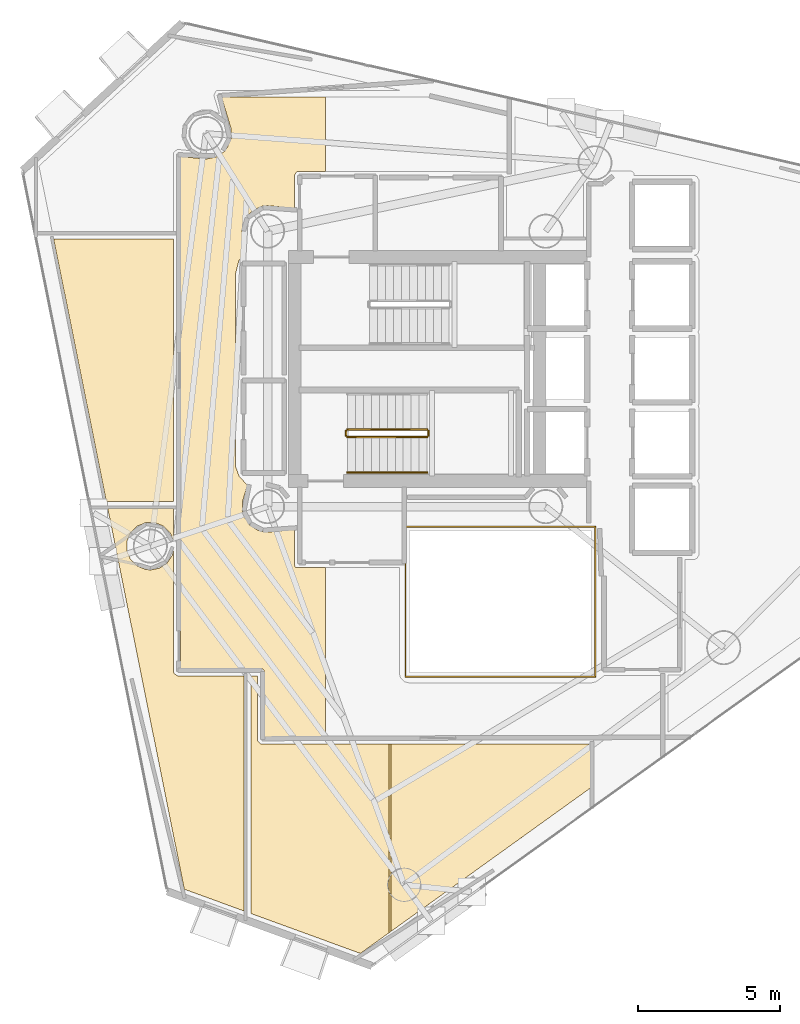
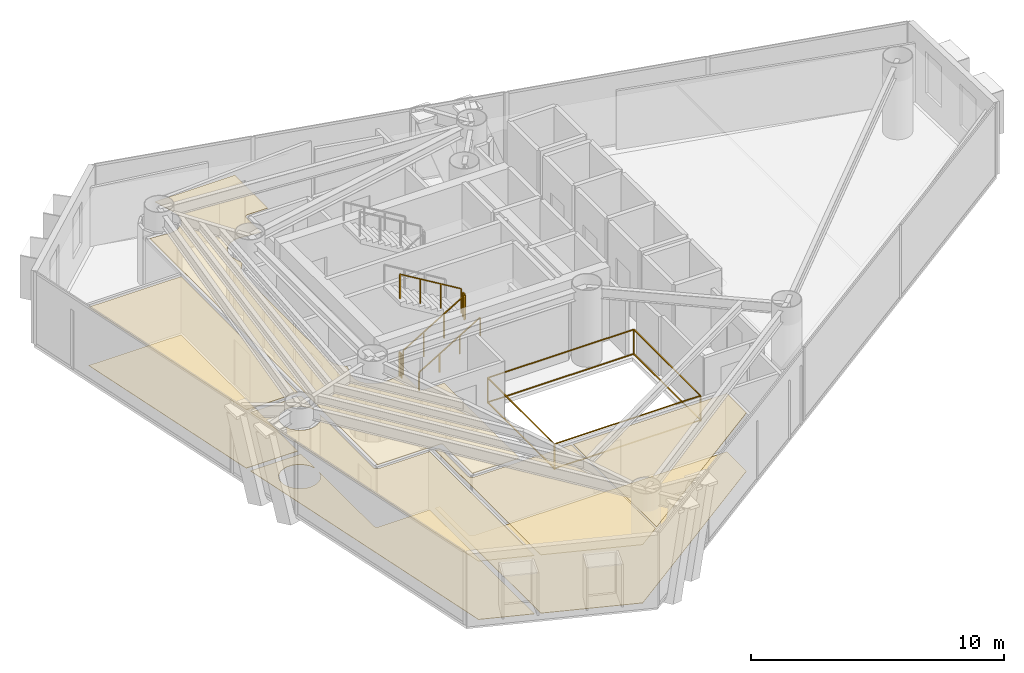
# One storey, part 20 of 22: 8 coverings, 6 railings.
"""IFC4 building model written with IfcOpenShell, lengths in metres."""

from ifc_helpers import new_model, si_unit, direction, frame, origin, origin_2d, place, context, subcontext, project, spatial, polyline, rectangle, outline, extrude, material, layer, layer_set, type_object, element, save


model = new_model("IFC4")

# Units and contexts
model_context = context("Model", 3, precision=1e-05, world=origin(), true_north=direction((0.0, 1.0)))
body_context = subcontext(model_context, "Body", "Model", "MODEL_VIEW")
ifc_project = project(units=[si_unit("LENGTHUNIT", "METRE"), si_unit("AREAUNIT", "SQUARE_METRE"), si_unit("VOLUMEUNIT", "CUBIC_METRE"), si_unit("PLANEANGLEUNIT", "RADIAN"), si_unit("MASSUNIT", "GRAM", prefix="KILO")], contexts=[model_context])

# Site, building, storey
site_placement = place(None, origin())
site = spatial("IfcSite", under=ifc_project, at=site_placement, CompositionType="ELEMENT")
building_placement = place(site_placement, origin())
building = spatial("IfcBuilding", under=site, at=building_placement, Name="Qianvela Tower", CompositionType="ELEMENT")
storey_placement = place(building_placement, frame((0.0, 0.0, 196.60009765625)))
storey = spatial("IfcBuildingStorey", under=building, at=storey_placement, Name="L50", CompositionType="ELEMENT", Elevation=196.60009765625)

# Coverings
ifc_material_1 = material(Name="Perforated Mineral Acoustic Ceiling Tile")
ifc_layer_1 = layer(ifc_material_1, 0.02490234375)
ifc_layer_set_1 = layer_set([ifc_layer_1], Name="Perforated Mineral Acoustic Ceiling Tile")
covering_type_1 = type_object("IfcCoveringType", Name="COV-CEIL-ACOUSTIC-25", PredefinedType="CEILING", material=ifc_layer_set_1)
covering_1_placement = place(storey_placement, frame((0.0, 0.0, 2.81494140625)))
element("IfcCovering", 1, at=covering_1_placement, inside=storey, type_object=covering_type_1, Name="L50 Acoustic Ceiling Bay 1 L50 Floor Corridor", PredefinedType="CEILING", context=body_context, shape_type="SweptSolid", body=[
    extrude(outline(polyline([(27.311767578125, 36.808837890625), (27.313720703125, 36.81640625), (27.31494140625, 36.82421875), (27.315185546875, 36.83203125), (27.315185546875, 37.152099609375), (27.31494140625, 37.159912109375), (27.313720703125, 37.16748046875), (27.311767578125, 37.17529296875), (26.979736328125, 38.27001953125), (30.634765625, 38.27001953125), (30.634765625, 35.658203125), (29.68798828125, 35.660888671875), (29.680419921875, 35.660400390625), (29.672607421875, 35.6591796875), (29.664794921875, 35.657470703125), (29.657470703125, 35.65478515625), (29.650390625, 35.6513671875), (29.6435546875, 35.6474609375), (29.63720703125, 35.642578125), (29.63134765625, 35.637451171875), (29.626220703125, 35.631591796875), (29.576171875, 35.57080078125), (29.571533203125, 35.564453125), (29.5673828125, 35.5576171875), (29.564208984375, 35.550537109375), (29.561279296875, 35.543212890625), (29.5595703125, 35.53564453125), (29.558349609375, 35.52783203125), (29.55810546875, 35.52001953125), (29.55810546875, 34.35595703125), (28.60791015625, 34.44970703125), (28.60009765625, 34.449951171875), (28.59228515625, 34.44970703125), (28.43212890625, 34.433837890625), (28.42431640625, 34.4326171875), (28.416748046875, 34.430908203125), (28.409423828125, 34.42822265625), (28.11376953125, 34.3056640625), (28.106689453125, 34.302490234375), (28.10009765625, 34.29833984375), (28.09375, 34.293701171875), (28.087890625, 34.288330078125), (27.861572265625, 34.06201171875), (27.8564453125, 34.056396484375), (27.851806640625, 34.050048828125), (27.84765625, 34.043212890625), (27.84423828125, 34.0361328125), (27.7216796875, 33.740478515625), (27.71923828125, 33.733154296875), (27.71728515625, 33.7255859375), (27.716064453125, 33.7177734375), (27.700439453125, 33.557861328125), (27.699951171875, 33.550048828125), (27.700439453125, 33.542236328125), (27.716064453125, 33.382080078125), (27.71728515625, 33.37451171875), (27.71923828125, 33.36669921875), (27.865478515625, 32.884521484375), (27.60107421875, 32.52685546875), (27.5966796875, 32.5205078125), (27.593017578125, 32.513427734375), (27.590087890625, 32.50634765625), (27.587890625, 32.4990234375), (27.472412109375, 32.0458984375), (27.47119140625, 32.039306640625), (27.47021484375, 32.03271484375), (27.469970703125, 32.026123046875), (27.469970703125, 25.291259765625), (27.47021484375, 25.2841796875), (27.47119140625, 25.27734375), (27.47265625, 25.2705078125), (27.474853515625, 25.263916015625), (27.59326171875, 24.938232421875), (27.59619140625, 24.93115234375), (27.599853515625, 24.92431640625), (27.604248046875, 24.91796875), (27.609130859375, 24.911865234375), (27.89111328125, 24.599853515625), (27.71923828125, 24.033203125), (27.71728515625, 24.025634765625), (27.716064453125, 24.017822265625), (27.7158203125, 24.010009765625), (27.7158203125, 23.68994140625), (27.716064453125, 23.68212890625), (27.71728515625, 23.67431640625), (27.71923828125, 23.666748046875), (27.765869140625, 23.512939453125), (27.7685546875, 23.505615234375), (27.77197265625, 23.49853515625), (27.77587890625, 23.49169921875), (27.95361328125, 23.2255859375), (27.958251953125, 23.219482421875), (27.963623046875, 23.213623046875), (27.969482421875, 23.208251953125), (27.9755859375, 23.20361328125), (28.24169921875, 23.02587890625), (28.24853515625, 23.02197265625), (28.255615234375, 23.0185546875), (28.262939453125, 23.015869140625), (28.416748046875, 22.96923828125), (28.42431640625, 22.96728515625), (28.43212890625, 22.966064453125), (28.59228515625, 22.950439453125), (28.60009765625, 22.949951171875), (28.60791015625, 22.950439453125), (29.55810546875, 23.0439453125), (29.55810546875, 21.780029296875), (29.558349609375, 21.772216796875), (29.5595703125, 21.764404296875), (29.561279296875, 21.7568359375), (29.564208984375, 21.74951171875), (29.5673828125, 21.7421875), (29.571533203125, 21.735595703125), (29.576171875, 21.729248046875), (29.581298828125, 21.723388671875), (29.587158203125, 21.71826171875), (29.593505859375, 21.71337890625), (29.600341796875, 21.70947265625), (29.607421875, 21.7060546875), (29.61474609375, 21.703369140625), (29.622314453125, 21.701416015625), (29.630126953125, 21.700439453125), (29.637939453125, 21.699951171875), (30.634765625, 21.699951171875), (30.634765625, 15.72998046875), (28.47998046875, 15.72998046875), (28.47998046875, 18.050048828125), (28.4794921875, 18.057861328125), (28.478515625, 18.065673828125), (28.4765625, 18.0732421875), (28.473876953125, 18.08056640625), (28.470703125, 18.087646484375), (28.466552734375, 18.094482421875), (28.4619140625, 18.100830078125), (28.45654296875, 18.106689453125), (28.45068359375, 18.11181640625), (28.4443359375, 18.116455078125), (28.437744140625, 18.12060546875), (28.4306640625, 18.123779296875), (28.423095703125, 18.126708984375), (28.41552734375, 18.12841796875), (28.40771484375, 18.129638671875), (28.39990234375, 18.1298828125), (25.530029296875, 18.1298828125), (25.530029296875, 36.180419921875), (26.423095703125, 36.09228515625), (26.430908203125, 36.092041015625), (26.438720703125, 36.09228515625), (26.446533203125, 36.093505859375), (26.760498046875, 36.156005859375), (26.76806640625, 36.157958984375), (26.775390625, 36.160400390625), (26.782470703125, 36.163818359375), (26.789306640625, 36.16796875), (27.055419921875, 36.345703125), (27.0615234375, 36.350341796875), (27.0673828125, 36.355712890625), (27.07275390625, 36.361328125), (27.174560546875, 36.485595703125), (27.17919921875, 36.491943359375), (27.183349609375, 36.498779296875), (27.186767578125, 36.505859375), (27.30908203125, 36.801513671875), (27.311767578125, 36.808837890625)])), origin(), (0.0, 0.0, 1.0), 0.02490234375),
])
covering_2_placement = place(storey_placement, frame((0.0, 0.0, 2.81494140625)))
element("IfcCovering", 2, at=covering_2_placement, inside=storey, type_object=covering_type_1, Name="L50 Acoustic Ceiling Digital Research Office L50-01", PredefinedType="CEILING", context=body_context, shape_type="SweptSolid", body=[
    extrude(outline(polyline([(25.291259765625, 22.706298828125), (25.264892578125, 22.7060546875), (25.177490234375, 22.913330078125), (25.17431640625, 22.92041015625), (25.17041015625, 22.927001953125), (25.165771484375, 22.93310546875), (25.160400390625, 22.938720703125), (24.95068359375, 23.1484375), (24.945068359375, 23.15380859375), (24.938720703125, 23.158447265625), (24.931884765625, 23.16259765625), (24.9248046875, 23.165771484375), (24.65087890625, 23.279296875), (24.6435546875, 23.281982421875), (24.635986328125, 23.283935546875), (24.628173828125, 23.284912109375), (24.620361328125, 23.285400390625), (24.32373046875, 23.285400390625), (24.31591796875, 23.284912109375), (24.30810546875, 23.283935546875), (24.300537109375, 23.281982421875), (24.293212890625, 23.279296875), (24.019287109375, 23.165771484375), (24.01220703125, 23.16259765625), (24.00537109375, 23.158447265625), (23.9990234375, 23.15380859375), (23.9931640625, 23.1484375), (23.783447265625, 22.938720703125), (23.7783203125, 22.93310546875), (23.773681640625, 22.9267578125), (23.76953125, 22.919921875), (23.76611328125, 22.912841796875), (23.652587890625, 22.638916015625), (23.64990234375, 22.631591796875), (23.648193359375, 22.623779296875), (23.64697265625, 22.6162109375), (23.646484375, 22.6083984375), (23.646484375, 22.311767578125), (23.64697265625, 22.303955078125), (23.648193359375, 22.296142578125), (23.64990234375, 22.28857421875), (23.652587890625, 22.281005859375), (23.76611328125, 22.007080078125), (23.76953125, 22.0), (23.773681640625, 21.993408203125), (23.7783203125, 21.987060546875), (23.783447265625, 21.981201171875), (23.9931640625, 21.771484375), (23.9990234375, 21.76611328125), (24.00537109375, 21.76171875), (24.01220703125, 21.757568359375), (24.019287109375, 21.754150390625), (24.293212890625, 21.640625), (24.300537109375, 21.637939453125), (24.30810546875, 21.635986328125), (24.31591796875, 21.635009765625), (24.464111328125, 21.620361328125), (24.471923828125, 21.6201171875), (24.479736328125, 21.620361328125), (24.487548828125, 21.62158203125), (24.7783203125, 21.679443359375), (24.7861328125, 21.681396484375), (24.79345703125, 21.683837890625), (24.800537109375, 21.687255859375), (24.807373046875, 21.69140625), (25.0537109375, 21.856201171875), (25.060302734375, 21.86083984375), (25.06591796875, 21.865966796875), (25.0712890625, 21.871826171875), (25.075927734375, 21.878173828125), (25.24072265625, 22.124755859375), (25.24462890625, 22.13134765625), (25.248046875, 22.138427734375), (25.25048828125, 22.145751953125), (25.25244140625, 22.1533203125), (25.29150390625, 22.344482421875), (25.296142578125, 18.019287109375), (25.29638671875, 18.011474609375), (25.297607421875, 18.003662109375), (25.299560546875, 17.99609375), (25.30224609375, 17.98876953125), (25.3056640625, 17.981689453125), (25.3095703125, 17.974853515625), (25.314208984375, 17.968505859375), (25.319580078125, 17.962890625), (25.3251953125, 17.95751953125), (25.33154296875, 17.952880859375), (25.405517578125, 17.903564453125), (25.412353515625, 17.8994140625), (25.41943359375, 17.89599609375), (25.4267578125, 17.893310546875), (25.434326171875, 17.8916015625), (25.442138671875, 17.890380859375), (25.449951171875, 17.889892578125), (27.778076171875, 17.889892578125), (27.778076171875, 9.604736328125), (25.66796875, 10.373779296875), (22.974853515625, 23.778076171875), (25.2900390625, 23.778076171875), (25.291259765625, 22.706298828125)])), origin(), (0.0, 0.0, 1.0), 0.02490234375),
])
covering_3_placement = place(storey_placement, frame((0.0, 0.0, 2.81494140625)))
element("IfcCovering", 3, at=covering_3_placement, inside=storey, type_object=covering_type_1, Name="L50 Acoustic Ceiling Quiet Reading Study L50-04", PredefinedType="CEILING", context=body_context, shape_type="SweptSolid", body=[
    extrude(outline(polyline([(25.2900390625, 33.278076171875), (25.2900390625, 24.02197265625), (22.92578125, 24.02197265625), (21.06640625, 33.278076171875), (25.2900390625, 33.278076171875)])), origin(), (0.0, 0.0, 1.0), 0.02490234375),
])
covering_4_placement = place(storey_placement, frame((0.0, 0.0, 2.81494140625)))
element("IfcCovering", 4, at=covering_4_placement, inside=storey, type_object=covering_type_1, Name="L50 Acoustic Ceiling Bay 1 Panoramic Study Lounge L50-05", PredefinedType="CEILING", context=body_context, shape_type="SweptSolid", body=[
    extrude(outline(polyline([(28.239990234375, 17.889892578125), (28.239990234375, 15.64990234375), (28.240478515625, 15.64208984375), (28.241455078125, 15.634521484375), (28.243408203125, 15.626708984375), (28.24609375, 15.619384765625), (28.24951171875, 15.6123046875), (28.25341796875, 15.605712890625), (28.25830078125, 15.59912109375), (28.322509765625, 15.520751953125), (28.327880859375, 15.514892578125), (28.33349609375, 15.509765625), (28.33984375, 15.5048828125), (28.3466796875, 15.5009765625), (28.353759765625, 15.49755859375), (28.361083984375, 15.4951171875), (28.368896484375, 15.4931640625), (28.37646484375, 15.491943359375), (28.384521484375, 15.491455078125), (32.87255859375, 15.490966796875), (32.87255859375, 8.83447265625), (31.86962890625, 8.11328125), (28.02197265625, 9.515625), (28.02197265625, 17.889892578125), (28.239990234375, 17.889892578125)])), origin(), (0.0, 0.0, 1.0), 0.02490234375),
])
covering_5_placement = place(storey_placement, frame((0.0, 0.0, 2.81494140625)))
element("IfcCovering", 5, at=covering_5_placement, inside=storey, type_object=covering_type_1, Name="L50 Acoustic Ceiling Bay 2 Panoramic Study Lounge L50-05", PredefinedType="CEILING", context=body_context, shape_type="SweptSolid", body=[
    extrude(outline(polyline([(39.97802734375, 15.489990234375), (39.97802734375, 13.942626953125), (32.952392578125, 8.891845703125), (32.952392578125, 15.490966796875), (39.97802734375, 15.489990234375)])), origin(), (0.0, 0.0, 1.0), 0.02490234375),
])
ifc_material_2 = material(Name="Engineered Acoustic Oak Timber Flooring", Category="wood")
ifc_layer_2 = layer(ifc_material_2, 0.02001953125)
ifc_layer_set_2 = layer_set([ifc_layer_2], Name="Engineered Acoustic Oak Timber Flooring")
covering_type_2 = type_object("IfcCoveringType", Name="COV-FLOOR-OAK-20", PredefinedType="FLOORING", material=ifc_layer_set_2)
covering_6_placement = place(storey_placement, origin())
element("IfcCovering", 6, at=covering_6_placement, inside=storey, type_object=covering_type_2, Name="L50 Finish Flooring Digital Research Office L50-01", PredefinedType="FLOORING", context=body_context, shape_type="SweptSolid", body=[
    extrude(outline(polyline([(25.291259765625, 22.706298828125), (25.264892578125, 22.7060546875), (25.177490234375, 22.913330078125), (25.17431640625, 22.92041015625), (25.17041015625, 22.927001953125), (25.165771484375, 22.93310546875), (25.160400390625, 22.938720703125), (24.95068359375, 23.1484375), (24.945068359375, 23.15380859375), (24.938720703125, 23.158447265625), (24.931884765625, 23.16259765625), (24.9248046875, 23.165771484375), (24.65087890625, 23.279296875), (24.6435546875, 23.281982421875), (24.635986328125, 23.283935546875), (24.628173828125, 23.284912109375), (24.620361328125, 23.285400390625), (24.32373046875, 23.285400390625), (24.31591796875, 23.284912109375), (24.30810546875, 23.283935546875), (24.300537109375, 23.281982421875), (24.293212890625, 23.279296875), (24.019287109375, 23.165771484375), (24.01220703125, 23.16259765625), (24.00537109375, 23.158447265625), (23.9990234375, 23.15380859375), (23.9931640625, 23.1484375), (23.783447265625, 22.938720703125), (23.7783203125, 22.93310546875), (23.773681640625, 22.9267578125), (23.76953125, 22.919921875), (23.76611328125, 22.912841796875), (23.652587890625, 22.638916015625), (23.64990234375, 22.631591796875), (23.648193359375, 22.623779296875), (23.64697265625, 22.6162109375), (23.646484375, 22.6083984375), (23.646484375, 22.311767578125), (23.64697265625, 22.303955078125), (23.648193359375, 22.296142578125), (23.64990234375, 22.28857421875), (23.652587890625, 22.281005859375), (23.76611328125, 22.007080078125), (23.76953125, 22.0), (23.773681640625, 21.993408203125), (23.7783203125, 21.987060546875), (23.783447265625, 21.981201171875), (23.9931640625, 21.771484375), (23.9990234375, 21.76611328125), (24.00537109375, 21.76171875), (24.01220703125, 21.757568359375), (24.019287109375, 21.754150390625), (24.293212890625, 21.640625), (24.300537109375, 21.637939453125), (24.30810546875, 21.635986328125), (24.31591796875, 21.635009765625), (24.464111328125, 21.620361328125), (24.471923828125, 21.6201171875), (24.479736328125, 21.620361328125), (24.487548828125, 21.62158203125), (24.7783203125, 21.679443359375), (24.7861328125, 21.681396484375), (24.79345703125, 21.683837890625), (24.800537109375, 21.687255859375), (24.807373046875, 21.69140625), (25.0537109375, 21.856201171875), (25.060302734375, 21.86083984375), (25.06591796875, 21.865966796875), (25.0712890625, 21.871826171875), (25.075927734375, 21.878173828125), (25.24072265625, 22.124755859375), (25.24462890625, 22.13134765625), (25.248046875, 22.138427734375), (25.25048828125, 22.145751953125), (25.25244140625, 22.1533203125), (25.29150390625, 22.344482421875), (25.296142578125, 18.019287109375), (25.29638671875, 18.011474609375), (25.297607421875, 18.003662109375), (25.299560546875, 17.99609375), (25.30224609375, 17.98876953125), (25.3056640625, 17.981689453125), (25.3095703125, 17.974853515625), (25.314208984375, 17.968505859375), (25.319580078125, 17.962890625), (25.3251953125, 17.95751953125), (25.33154296875, 17.952880859375), (25.405517578125, 17.903564453125), (25.412353515625, 17.8994140625), (25.41943359375, 17.89599609375), (25.4267578125, 17.893310546875), (25.434326171875, 17.8916015625), (25.442138671875, 17.890380859375), (25.449951171875, 17.889892578125), (27.778076171875, 17.889892578125), (27.778076171875, 9.604736328125), (25.66796875, 10.373779296875), (22.974853515625, 23.778076171875), (25.2900390625, 23.778076171875), (25.291259765625, 22.706298828125)])), origin(), (0.0, 0.0, 1.0), 0.02001953125),
])
covering_7_placement = place(storey_placement, origin())
element("IfcCovering", 7, at=covering_7_placement, inside=storey, type_object=covering_type_2, Name="L50 Finish Flooring Quiet Reading Study L50-04", PredefinedType="FLOORING", context=body_context, shape_type="SweptSolid", body=[
    extrude(outline(polyline([(25.2900390625, 33.278076171875), (25.2900390625, 24.02197265625), (22.92578125, 24.02197265625), (21.06640625, 33.278076171875), (25.2900390625, 33.278076171875)])), origin(), (0.0, 0.0, 1.0), 0.02001953125),
])
covering_8_placement = place(storey_placement, origin())
element("IfcCovering", 8, at=covering_8_placement, inside=storey, type_object=covering_type_2, Name="L50 Finish Flooring Panoramic Study Lounge L50-05", PredefinedType="FLOORING", context=body_context, shape_type="SweptSolid", body=[
    extrude(outline(polyline([(28.02197265625, 17.889892578125), (28.239990234375, 17.889892578125), (28.239990234375, 15.64990234375), (28.240478515625, 15.64208984375), (28.241455078125, 15.634521484375), (28.243408203125, 15.626708984375), (28.24609375, 15.619384765625), (28.24951171875, 15.6123046875), (28.25341796875, 15.605712890625), (28.25830078125, 15.59912109375), (28.322509765625, 15.520751953125), (28.327880859375, 15.514892578125), (28.33349609375, 15.509765625), (28.33984375, 15.5048828125), (28.3466796875, 15.5009765625), (28.353759765625, 15.49755859375), (28.361083984375, 15.4951171875), (28.368896484375, 15.4931640625), (28.37646484375, 15.491943359375), (28.384521484375, 15.491455078125), (39.97802734375, 15.489990234375), (39.97802734375, 13.942626953125), (31.86962890625, 8.11328125), (28.02197265625, 9.515625), (28.02197265625, 17.889892578125)])), origin(), (0.0, 0.0, 1.0), 0.02001953125),
])

# Railings
ifc_material_3 = material(Name="Laminated Safety Glass and Stainless Steel 316", Category="steel")
railing_type_1 = type_object("IfcRailingType", Name="RL-ATRIUM-GUARD-1250", PredefinedType="GUARDRAIL", material=ifc_material_3)
railing_1_placement = place(storey_placement, frame((33.4599609375, 17.860107421875, 0.0)))
element("IfcRailing", 9, at=railing_1_placement, inside=storey, type_object=railing_type_1, Name="L50 Atrium Edge Guardrail 1", PredefinedType="GUARDRAIL", context=body_context, shape_type="SweptSolid", body=[
    extrude(rectangle(XDim=0.050048828125, YDim=0.0400390625, at=origin_2d()), frame((0.0, 0.0, 1.22998046875), z_axis=(0.0, 1.0, 0.0), x_axis=(-1.0, 0.0, 0.0)), (0.0, 0.0, 1.0), 5.27978515625),
    extrude(rectangle(XDim=0.050048828125, YDim=0.0400390625, at=origin_2d()), frame((0.0, 0.0, 0.050048828125), z_axis=(0.0, 1.0, 0.0), x_axis=(-1.0, 0.0, 0.0)), (0.0, 0.0, 1.0), 5.27978515625),
    extrude(rectangle(XDim=0.050048828125, YDim=0.0400390625, at=origin_2d()), frame((0.0, 5.27978515625, 1.22998046875), z_axis=(1.0, 0.0, 0.0), x_axis=(0.0, 1.0, 0.0)), (0.0, 0.0, 1.0), 6.679931640625),
    extrude(rectangle(XDim=0.050048828125, YDim=0.0400390625, at=origin_2d()), frame((0.0, 5.27978515625, 0.050048828125), z_axis=(1.0, 0.0, 0.0), x_axis=(0.0, 1.0, 0.0)), (0.0, 0.0, 1.0), 6.679931640625),
    extrude(rectangle(XDim=0.050048828125, YDim=0.0400390625, at=origin_2d()), frame((6.679931640625, 5.27978515625, 1.22998046875), z_axis=(0.0, -1.0, 0.0), x_axis=(1.0, 0.0, 0.0)), (0.0, 0.0, 1.0), 5.27978515625),
    extrude(rectangle(XDim=0.050048828125, YDim=0.0400390625, at=origin_2d()), frame((6.679931640625, 5.27978515625, 0.050048828125), z_axis=(0.0, -1.0, 0.0), x_axis=(1.0, 0.0, 0.0)), (0.0, 0.0, 1.0), 5.27978515625),
    extrude(rectangle(XDim=0.050048828125, YDim=0.0400390625, at=origin_2d()), frame((6.679931640625, 0.0, 1.22998046875), z_axis=(-1.0, 0.0, 0.0), x_axis=(0.0, -1.0, 0.0)), (0.0, 0.0, 1.0), 6.679931640625),
    extrude(rectangle(XDim=0.050048828125, YDim=0.0400390625, at=origin_2d()), frame((6.679931640625, 0.0, 0.050048828125), z_axis=(-1.0, 0.0, 0.0), x_axis=(0.0, -1.0, 0.0)), (0.0, 0.0, 1.0), 6.679931640625),
    extrude(rectangle(XDim=0.050048828125, YDim=0.050048828125, at=origin_2d()), origin(), (0.0, 0.0, 1.0), 1.2099609375),
    extrude(rectangle(XDim=0.050048828125, YDim=0.050048828125, at=origin_2d()), frame((0.0, 5.27978515625, 0.0)), (0.0, 0.0, 1.0), 1.2099609375),
    extrude(rectangle(XDim=0.050048828125, YDim=0.050048828125, at=origin_2d()), frame((6.679931640625, 5.27978515625, 0.0)), (0.0, 0.0, 1.0), 1.2099609375),
    extrude(rectangle(XDim=0.050048828125, YDim=0.050048828125, at=origin_2d()), frame((6.679931640625, 0.0, 0.0)), (0.0, 0.0, 1.0), 1.2099609375),
])
ifc_material_4 = material(Name="Painted Tubular Steel Q355B", Category="steel")
railing_type_2 = type_object("IfcRailingType", Name="RL-STAIR-GUARD-1200", PredefinedType="GUARDRAIL", material=ifc_material_4)
railing_2_placement = place(storey_placement, frame((31.419921875, 26.300048828125, 0.16796875)))
element("IfcRailing", 10, at=railing_2_placement, inside=storey, type_object=railing_type_2, Name="L50 ST-2 stair guard 1", PredefinedType="GUARDRAIL", context=body_context, shape_type="SweptSolid", body=[
    extrude(rectangle(XDim=0.050048828125, YDim=0.0400390625, at=origin_2d()), frame((0.0, 0.0, 1.179931640625), z_axis=(0.857242210791, 0.0, 0.514913383045), x_axis=(0.0, 1.0, 0.0)), (0.0, 0.0, 1.0), 3.266357421875),
    extrude(rectangle(XDim=0.050048828125, YDim=0.050048828125, at=origin_2d()), origin(), (0.0, 0.0, 1.0), 1.159912109375),
    extrude(rectangle(XDim=0.050048828125, YDim=0.050048828125, at=origin_2d()), frame((0.933349609375, 0.0, 0.560546875)), (0.0, 0.0, 1.0), 1.159912109375),
    extrude(rectangle(XDim=0.050048828125, YDim=0.050048828125, at=origin_2d()), frame((1.86669921875, 0.0, 1.121337890625)), (0.0, 0.0, 1.0), 1.159912109375),
    extrude(rectangle(XDim=0.050048828125, YDim=0.050048828125, at=origin_2d()), frame((2.800048828125, 0.0, 1.681884765625)), (0.0, 0.0, 1.0), 1.159912109375),
])
railing_3_placement = place(storey_placement, frame((34.27001953125, 26.35009765625, 1.849853515625)))
element("IfcRailing", 11, at=railing_3_placement, inside=storey, type_object=railing_type_2, Name="L50 ST-2 stair guard 2", PredefinedType="GUARDRAIL", context=body_context, shape_type="SweptSolid", body=[
    extrude(rectangle(XDim=0.050048828125, YDim=0.0400390625, at=origin_2d()), frame((0.0, 0.0, 1.179931640625), z_axis=(0.0, 1.0, 0.0), x_axis=(-1.0, 0.0, 0.0)), (0.0, 0.0, 1.0), 0.159912109375),
    extrude(rectangle(XDim=0.050048828125, YDim=0.050048828125, at=origin_2d()), origin(), (0.0, 0.0, 1.0), 1.159912109375),
    extrude(rectangle(XDim=0.050048828125, YDim=0.050048828125, at=origin_2d()), frame((0.0, 0.159912109375, 0.0)), (0.0, 0.0, 1.0), 1.159912109375),
])
railing_4_placement = place(storey_placement, frame((34.219970703125, 26.56005859375, 2.01806640625)))
element("IfcRailing", 12, at=railing_4_placement, inside=storey, type_object=railing_type_2, Name="L50 ST-2 stair guard 3", PredefinedType="GUARDRAIL", context=body_context, shape_type="SweptSolid", body=[
    extrude(rectangle(XDim=0.050048828125, YDim=0.0400390625, at=origin_2d()), frame((0.0, 0.0, 1.179931640625), z_axis=(-0.857242210791, 0.0, 0.514913383045), x_axis=(0.0, -1.0, 0.0)), (0.0, 0.0, 1.0), 3.266357421875),
    extrude(rectangle(XDim=0.050048828125, YDim=0.050048828125, at=origin_2d()), origin(), (0.0, 0.0, 1.0), 1.159912109375),
    extrude(rectangle(XDim=0.050048828125, YDim=0.050048828125, at=origin_2d()), frame((-0.933349609375, 0.0, 0.560546875)), (0.0, 0.0, 1.0), 1.159912109375),
    extrude(rectangle(XDim=0.050048828125, YDim=0.050048828125, at=origin_2d()), frame((-1.86669921875, 0.0, 1.121337890625)), (0.0, 0.0, 1.0), 1.159912109375),
    extrude(rectangle(XDim=0.050048828125, YDim=0.050048828125, at=origin_2d()), frame((-2.800048828125, 0.0, 1.681884765625)), (0.0, 0.0, 1.0), 1.159912109375),
])
railing_5_placement = place(storey_placement, frame((31.3701171875, 26.35009765625, 0.0)))
element("IfcRailing", 13, at=railing_5_placement, inside=storey, type_object=railing_type_2, Name="L50 ST-2 stair guard 4", PredefinedType="GUARDRAIL", context=body_context, shape_type="SweptSolid", body=[
    extrude(rectangle(XDim=0.050048828125, YDim=0.0400390625, at=origin_2d()), frame((0.0, 0.0, 1.179931640625), z_axis=(0.0, 1.0, 0.0), x_axis=(-1.0, 0.0, 0.0)), (0.0, 0.0, 1.0), 0.159912109375),
    extrude(rectangle(XDim=0.050048828125, YDim=0.050048828125, at=origin_2d()), origin(), (0.0, 0.0, 1.0), 1.159912109375),
    extrude(rectangle(XDim=0.050048828125, YDim=0.050048828125, at=origin_2d()), frame((0.0, 0.159912109375, 0.0)), (0.0, 0.0, 1.0), 1.159912109375),
])
ifc_material_5 = material(Name="Brushed Stainless Steel 304", Category="steel")
railing_type_3 = type_object("IfcRailingType", Name="RL-STAIR-HANDRAIL-900", PredefinedType="HANDRAIL", material=ifc_material_5)
railing_6_placement = place(storey_placement, frame((31.419921875, 25.050048828125, 0.16796875)))
element("IfcRailing", 14, at=railing_6_placement, inside=storey, type_object=railing_type_3, Name="L50 ST-2 stair handrail 1", PredefinedType="HANDRAIL", context=body_context, shape_type="SweptSolid", body=[
    extrude(rectangle(XDim=0.050048828125, YDim=0.0400390625, at=origin_2d()), frame((0.0, 0.0, 0.8798828125), z_axis=(0.857242210791, 0.0, 0.514913383045), x_axis=(0.0, 1.0, 0.0)), (0.0, 0.0, 1.0), 3.266357421875),
    extrude(rectangle(XDim=0.050048828125, YDim=0.050048828125, at=origin_2d()), origin(), (0.0, 0.0, 1.0), 0.85986328125),
    extrude(rectangle(XDim=0.050048828125, YDim=0.050048828125, at=origin_2d()), frame((0.933349609375, 0.0, 0.560546875)), (0.0, 0.0, 1.0), 0.85986328125),
    extrude(rectangle(XDim=0.050048828125, YDim=0.050048828125, at=origin_2d()), frame((1.86669921875, 0.0, 1.121337890625)), (0.0, 0.0, 1.0), 0.85986328125),
    extrude(rectangle(XDim=0.050048828125, YDim=0.050048828125, at=origin_2d()), frame((2.800048828125, 0.0, 1.681884765625)), (0.0, 0.0, 1.0), 0.85986328125),
])

save(model, "model.ifc")
